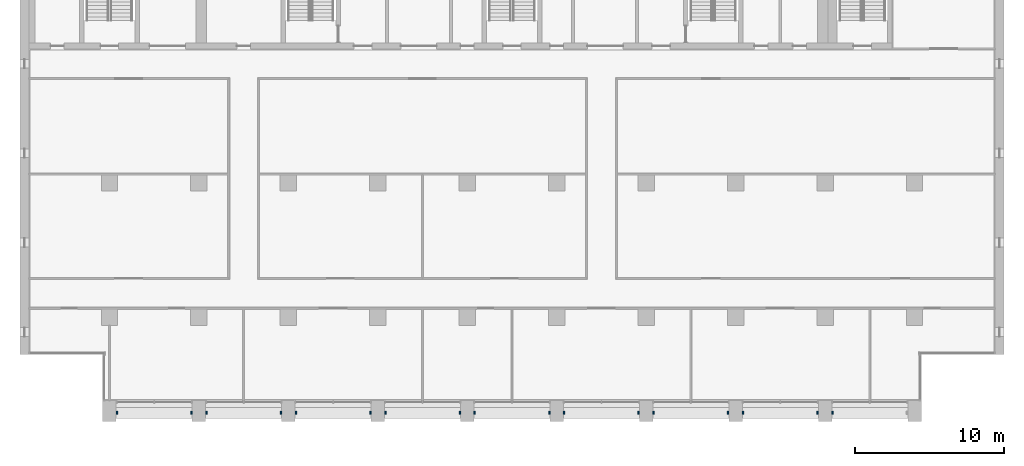
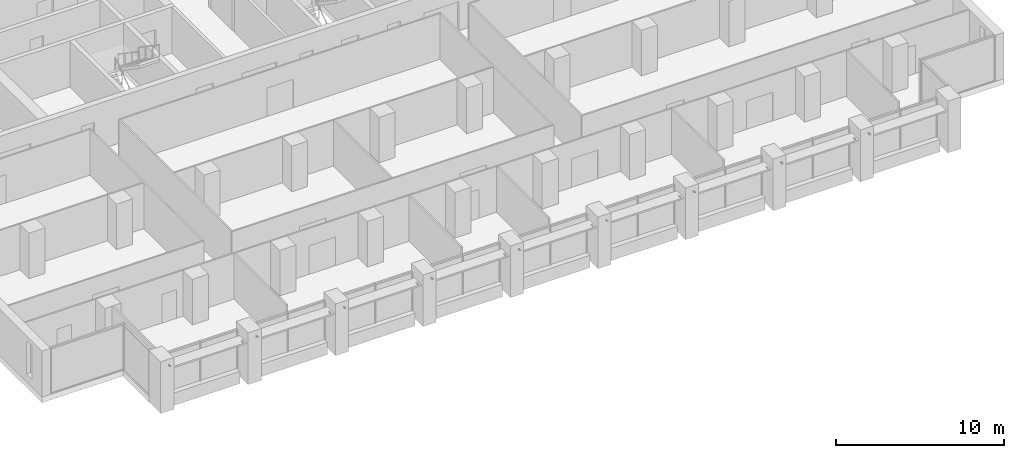
# One storey, part 14 of 17: 17 discrete accessories.
"""IFC4 building model written with IfcOpenShell, lengths in metres."""

from ifc_helpers import new_model, si_unit, direction, frame, origin, origin_2d, place, context, subcontext, project, spatial, rectangle, extrude, element, save


model = new_model("IFC4")

# Units and contexts
model_context = context("Model", 3, precision=1e-05, world=origin(), true_north=direction((0.0, 1.0)))
body_context = subcontext(model_context, "Body", "Model", "MODEL_VIEW")
ifc_project = project(units=[si_unit("LENGTHUNIT", "METRE"), si_unit("AREAUNIT", "SQUARE_METRE"), si_unit("VOLUMEUNIT", "CUBIC_METRE"), si_unit("PLANEANGLEUNIT", "RADIAN"), si_unit("MASSUNIT", "GRAM", prefix="KILO")], contexts=[model_context])

# Site, building, storey
site_placement = place(None, origin())
site = spatial("IfcSite", under=ifc_project, at=site_placement, CompositionType="ELEMENT")
building_placement = place(site_placement, origin())
building = spatial("IfcBuilding", under=site, at=building_placement, Name="Calvaro Tower", CompositionType="ELEMENT")
storey_placement = place(building_placement, frame((0.0, 0.0, 193.0)))
storey = spatial("IfcBuildingStorey", under=building, at=storey_placement, Name="L48", CompositionType="ELEMENT", Elevation=193.0)

# Discrete accessories
for number, where, z_axis, x_axis, name in (
    (1, (12.5, 3.60009765625, 2.349853515625), (0.0, 0.0, 1.0), (1.0, 0.0, 0.0), "Brise-soleil bracket"),
    (2, (17.5, 3.60009765625, 2.349853515625), (0.0, 0.0, 1.0), (1.0, 0.0, 0.0), "Brise-soleil bracket"),
    (3, (18.5, 3.60009765625, 2.349853515625), (0.0, 0.0, 1.0), (1.0, 0.0, 0.0), "Brise-soleil bracket"),
    (4, (23.5, 3.60009765625, 2.349853515625), (0.0, 0.0, 1.0), (1.0, 0.0, 0.0), "Brise-soleil bracket"),
    (5, (24.5, 3.60009765625, 2.349853515625), (0.0, 0.0, 1.0), (1.0, 0.0, 0.0), "Brise-soleil bracket"),
    (6, (29.5, 3.60009765625, 2.349853515625), (0.0, 0.0, 1.0), (1.0, 0.0, 0.0), "Brise-soleil bracket"),
    (7, (30.5, 3.60009765625, 2.349853515625), (0.0, 0.0, 1.0), (1.0, 0.0, 0.0), "Brise-soleil bracket"),
    (8, (35.5, 3.60009765625, 2.349853515625), (0.0, 0.0, 1.0), (1.0, 0.0, 0.0), "Brise-soleil bracket"),
    (9, (36.5, 3.60009765625, 2.349853515625), (0.0, 0.0, 1.0), (1.0, 0.0, 0.0), "Brise-soleil bracket"),
    (10, (41.5, 3.60009765625, 2.349853515625), (0.0, 0.0, 1.0), (1.0, 0.0, 0.0), "Brise-soleil bracket"),
    (11, (42.5, 3.60009765625, 2.349853515625), (0.0, 0.0, 1.0), (1.0, 0.0, 0.0), "Brise-soleil bracket"),
    (12, (47.5, 3.60009765625, 2.349853515625), (0.0, 0.0, 1.0), (1.0, 0.0, 0.0), "Brise-soleil bracket"),
    (13, (48.5, 3.60009765625, 2.349853515625), (0.0, 0.0, 1.0), (1.0, 0.0, 0.0), "Brise-soleil bracket"),
    (14, (53.5, 3.60009765625, 2.349853515625), (0.0, 0.0, 1.0), (1.0, 0.0, 0.0), "Brise-soleil bracket"),
    (15, (54.5, 3.60009765625, 2.349853515625), (0.0, 0.0, 1.0), (1.0, 0.0, 0.0), "Brise-soleil bracket"),
    (16, (59.5, 3.60009765625, 2.349853515625), (0.0, 0.0, 1.0), (1.0, 0.0, 0.0), "Brise-soleil bracket"),
    (17, (60.5, 3.60009765625, 2.349853515625), (0.0, 0.0, 1.0), (1.0, 0.0, 0.0), "Brise-soleil bracket"),
):
    element("IfcDiscreteAccessory", number, at=place(storey_placement, frame(where, z_axis=z_axis, x_axis=x_axis)), inside=storey, Name=name, PredefinedType="BRACKET", context=body_context, shape_type="SweptSolid", body=[
        extrude(rectangle(XDim=0.10009765625, YDim=0.199951171875, at=origin_2d()), origin(), (0.0, 0.0, 1.0), 0.10009765625),
    ])

save(model, "model.ifc")
